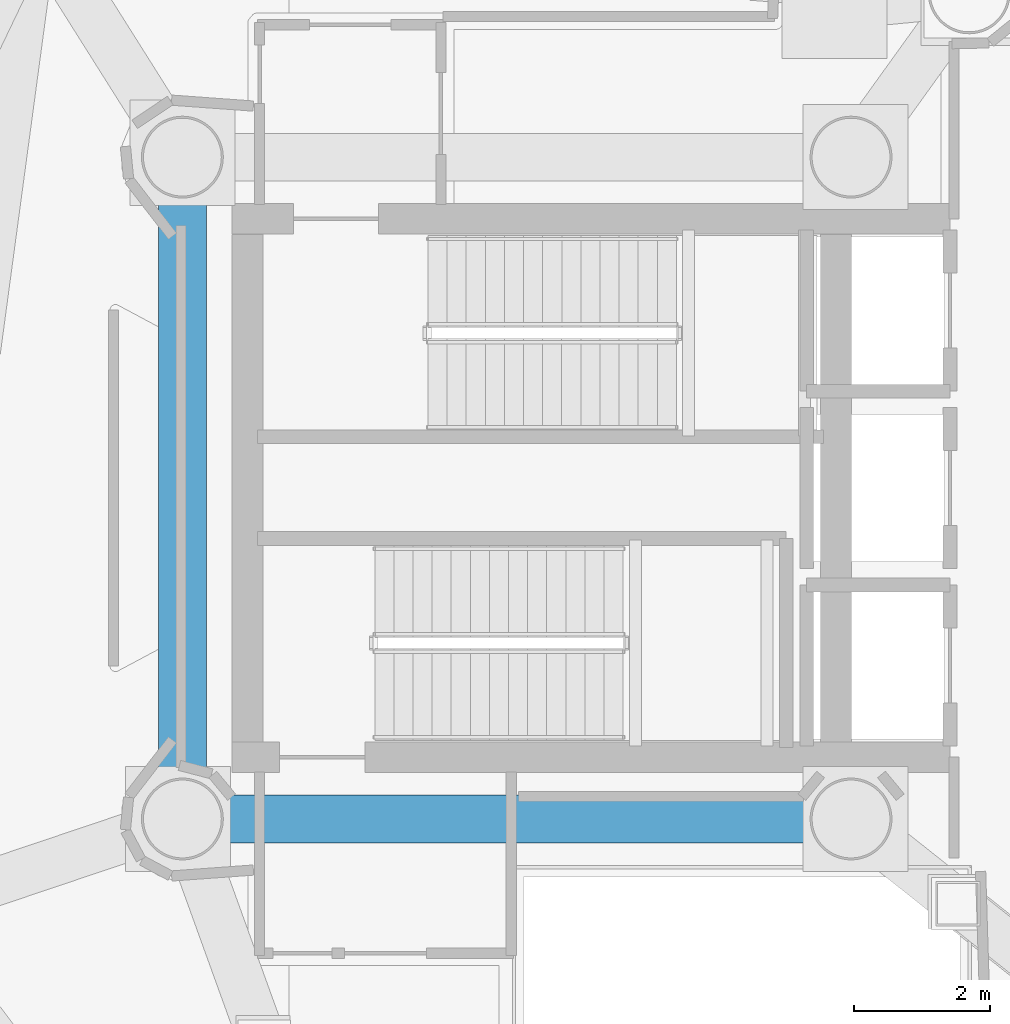
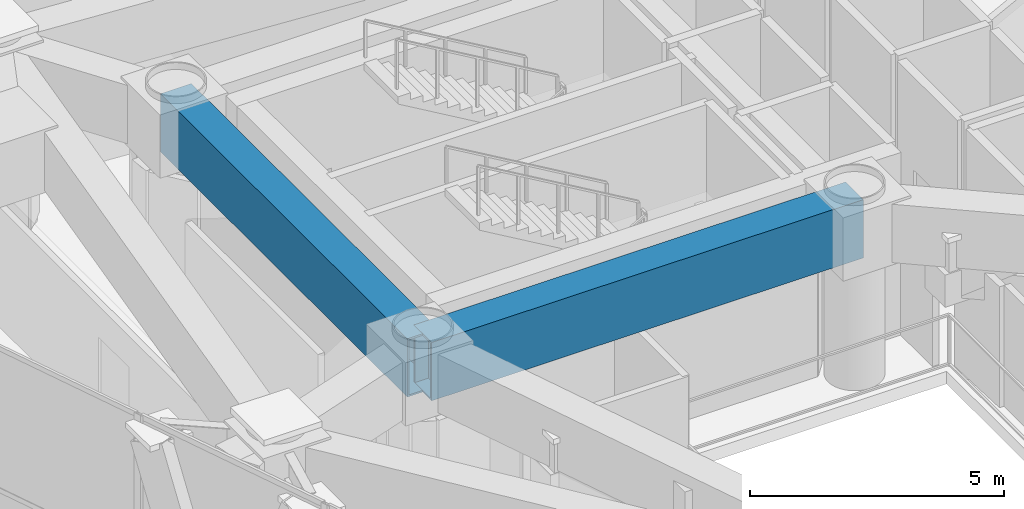
# One storey, part 8 of 20: 2 beams.
"""IFC4 building model written with IfcOpenShell, lengths in metres."""

from ifc_helpers import new_model, si_unit, direction, frame, origin, origin_2d, place, context, subcontext, project, spatial, hollow_rectangle, extrude, material, material_profile, profile_set, type_object, element, save


model = new_model("IFC4")

# Units and contexts
model_context = context("Model", 3, precision=1e-05, world=origin(), true_north=direction((0.0, 1.0)))
body_context = subcontext(model_context, "Body", "Model", "MODEL_VIEW")
ifc_project = project(units=[si_unit("LENGTHUNIT", "METRE"), si_unit("AREAUNIT", "SQUARE_METRE"), si_unit("VOLUMEUNIT", "CUBIC_METRE"), si_unit("PLANEANGLEUNIT", "RADIAN"), si_unit("MASSUNIT", "GRAM", prefix="KILO")], contexts=[model_context])

# Site, building, storey
site_placement = place(None, origin())
site = spatial("IfcSite", under=ifc_project, at=site_placement, CompositionType="ELEMENT")
building_placement = place(site_placement, origin())
building = spatial("IfcBuilding", under=site, at=building_placement, Name="Qianvela Tower", CompositionType="ELEMENT")
storey_placement = place(building_placement, frame((0.0, 0.0, 229.89990234375)))
storey = spatial("IfcBuildingStorey", under=building, at=storey_placement, Name="L59", CompositionType="ELEMENT", Elevation=229.89990234375)

# Beams
ifc_material = material(Name="Steel Q420GJC", Category="steel")
ifc_material_profile = material_profile(ifc_material, hollow_rectangle(XDim=0.699951171875, YDim=1.39990234375, WallThickness=0.0400390625, at=origin_2d()), Name="TG-BOX-1400x700x40")
ifc_profile_set = profile_set([ifc_material_profile], Name="Steel Q420GJC")
beam_type = type_object("IfcBeamType", Name="BM-TG-RAD-1400", PredefinedType="BEAM", material=ifc_profile_set)
beam_1_placement = place(storey_placement, frame((28.60009765625, 23.85009765625, 3.677978515625), z_axis=(1.0, 0.0, 0.0), x_axis=(0.0, 1.0, 0.0)))
element("IfcBeam", 1, at=beam_1_placement, inside=storey, type_object=beam_type, Name="L59 Core Ring Transfer Girder 1", PredefinedType="BEAM", context=body_context, shape_type="SweptSolid", body=[
    extrude(hollow_rectangle(XDim=0.699951171875, YDim=1.39990234375, WallThickness=0.0400390625, at=origin_2d()), origin(), (0.0, 0.0, 1.0), 9.7998046875),
])
beam_2_placement = place(storey_placement, frame((28.60009765625, 33.550048828125, 3.677978515625), z_axis=(0.0, -1.0, 0.0), x_axis=(1.0, 0.0, 0.0)))
element("IfcBeam", 2, at=beam_2_placement, inside=storey, type_object=beam_type, Name="L59 Core Ring Transfer Girder 2", PredefinedType="BEAM", context=body_context, shape_type="SweptSolid", body=[
    extrude(hollow_rectangle(XDim=0.699951171875, YDim=1.39990234375, WallThickness=0.0400390625, at=origin_2d()), origin(), (0.0, 0.0, 1.0), 9.699951171875),
])

save(model, "model.ifc")
